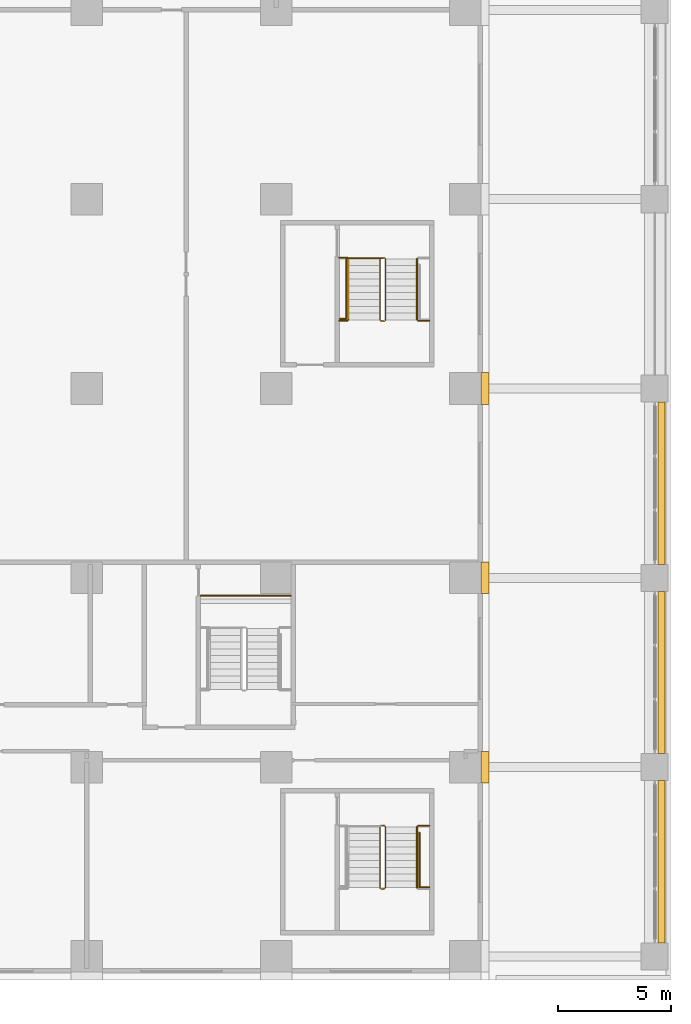
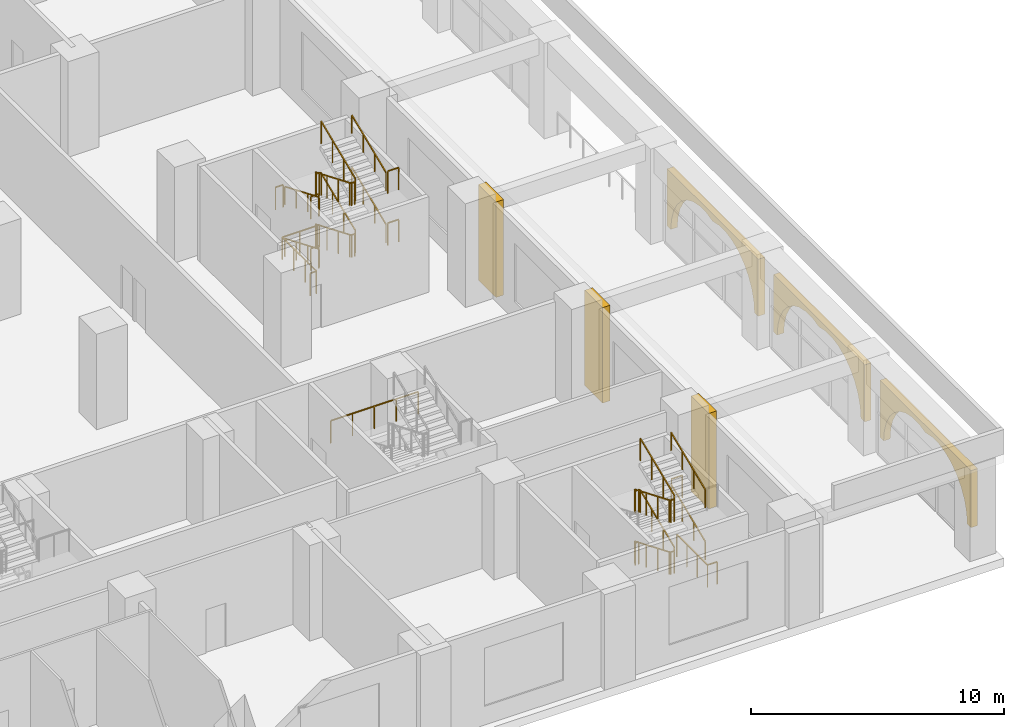
# One storey, part 27 of 29: 17 railings, 6 coverings.
"""IFC4 building model written with IfcOpenShell, lengths in metres."""

from ifc_helpers import new_model, si_unit, direction, frame, origin, origin_2d, place, context, subcontext, project, spatial, polyline, rectangle, outline, extrude, material, type_object, element, save


model = new_model("IFC4")

# Units and contexts
model_context = context("Model", 3, precision=1e-05, world=origin(), true_north=direction((0.0, 1.0)))
body_context = subcontext(model_context, "Body", "Model", "MODEL_VIEW")
ifc_project = project(units=[si_unit("LENGTHUNIT", "METRE"), si_unit("AREAUNIT", "SQUARE_METRE"), si_unit("VOLUMEUNIT", "CUBIC_METRE"), si_unit("PLANEANGLEUNIT", "RADIAN"), si_unit("MASSUNIT", "GRAM", prefix="KILO")], contexts=[model_context])

# Site, building, storey
site_placement = place(None, origin())
site = spatial("IfcSite", under=ifc_project, at=site_placement, CompositionType="ELEMENT")
building_placement = place(site_placement, origin())
building = spatial("IfcBuilding", under=site, at=building_placement, Name="Vermilion Ogive Tower", CompositionType="ELEMENT")
storey_placement = place(building_placement, frame((0.0, 0.0, 7.5)))
storey = spatial("IfcBuildingStorey", under=building, at=storey_placement, Name="L01", CompositionType="ELEMENT", Elevation=7.5)

# Coverings
ifc_material_1 = material(Name="Stone cladding", Category="masonry")
covering_type_1 = type_object("IfcCoveringType", Name="Arcade ogive head", PredefinedType="CLADDING", material=ifc_material_1)
for number, where, z_axis, x_axis, name in (
    (1, (58.949951171875, -25.199951171875, 3.39990234375), (1.0, 0.0, 0.0), (0.0, 1.0, 0.0), "Arcade stone head L01 1"),
    (2, (58.949951171875, -16.800048828125, 3.39990234375), (1.0, 0.0, 0.0), (0.0, 1.0, 0.0), "Arcade stone head L01 2"),
    (3, (58.949951171875, -8.39990234375, 3.39990234375), (1.0, 0.0, 0.0), (0.0, 1.0, 0.0), "Arcade stone head L01 3"),
):
    element("IfcCovering", number, at=place(storey_placement, frame(where, z_axis=z_axis, x_axis=x_axis)), inside=storey, type_object=covering_type_1, Name=name, PredefinedType="CLADDING", context=body_context, shape_type="SweptSolid", body=[
        extrude(outline(polyline([(-3.300048828125, -2.75), (-3.244873046875, -2.225830078125), (-3.08203125, -1.724365234375), (-2.818603515625, -1.267822265625), (-2.466064453125, -0.8759765625), (-2.039794921875, -0.56591796875), (-1.558349609375, -0.351318359375), (-1.042724609375, -0.2412109375), (-0.515625, -0.240966796875), (0.0, -0.35009765625), (0.515625, -0.240966796875), (1.042724609375, -0.2412109375), (1.558349609375, -0.351318359375), (2.039794921875, -0.56591796875), (2.466064453125, -0.8759765625), (2.818603515625, -1.267822265625), (3.08203125, -1.724365234375), (3.244873046875, -2.225830078125), (3.300048828125, -2.75), (3.60009765625, -2.75), (3.60009765625, 0.0), (-3.60009765625, 0.0), (-3.60009765625, -2.75), (-3.300048828125, -2.75)])), origin(), (0.0, 0.0, 1.0), 0.300048828125),
    ])

# Railings
ifc_material_2 = material(Name="Steel S355 painted", Category="steel")
railing_type_1 = type_object("IfcRailingType", Name="Stair guard 1100", PredefinedType="GUARDRAIL", material=ifc_material_2)
railing_1_placement = place(storey_placement, frame((46.800048828125, 1.60009765625, 0.0)))
element("IfcRailing", 4, at=railing_1_placement, inside=storey, type_object=railing_type_1, Name="L01 PEC stair guard 8", PredefinedType="GUARDRAIL", context=body_context, shape_type="SweptSolid", body=[
    extrude(rectangle(XDim=0.048095703125, YDim=0.048095703125, at=origin_2d()), frame((0.0, 0.0, 1.076171875), z_axis=(-1.0, 0.0, 0.0), x_axis=(0.0, -1.0, 0.0)), (0.0, 0.0, 1.0), 0.150146484375),
    extrude(rectangle(XDim=0.048095703125, YDim=0.048095703125, at=origin_2d()), frame((-0.150146484375, 0.0, 1.076171875), z_axis=(-0.346918206498, -0.348618785942, 0.870696675133), x_axis=(0.708833529934, -0.705375805398, 0.0)), (0.0, 0.0, 1.0), 0.1435546875),
    extrude(rectangle(XDim=0.048095703125, YDim=0.048095703125, at=origin_2d()), frame((-0.199951171875, -0.050048828125, 1.201171875), z_axis=(0.0, -0.923074453586, 0.384621311341), x_axis=(1.0, 0.0, 0.0)), (0.0, 0.0, 1.0), 2.925048828125),
    extrude(rectangle(XDim=0.048095703125, YDim=0.048095703125, at=origin_2d()), frame((-0.199951171875, -2.75, 2.326171875), z_axis=(0.705375805398, -0.708833529934, 0.0), x_axis=(0.708833529934, 0.705375805398, 0.0)), (0.0, 0.0, 1.0), 0.070556640625),
    extrude(rectangle(XDim=0.048095703125, YDim=0.048095703125, at=origin_2d()), frame((-0.150146484375, -2.800048828125, 2.326171875), z_axis=(1.0, 0.0, 0.0), x_axis=(0.0, 1.0, 0.0)), (0.0, 0.0, 1.0), 0.150146484375),
    extrude(rectangle(XDim=0.048095703125, YDim=0.048095703125, at=origin_2d()), frame((0.0, -2.800048828125, 2.326171875), z_axis=(0.34841279274, 0.34841279274, 0.870182194549), x_axis=(-0.707106781187, 0.707106781187, 0.0)), (0.0, 0.0, 1.0), 0.1435546875),
    extrude(rectangle(XDim=0.048095703125, YDim=0.048095703125, at=origin_2d()), frame((0.050048828125, -2.75, 2.451171875), z_axis=(0.0, 0.923074453586, 0.384621311341), x_axis=(-1.0, 0.0, 0.0)), (0.0, 0.0, 1.0), 2.925048828125),
    extrude(rectangle(XDim=0.048095703125, YDim=0.048095703125, at=origin_2d()), frame((0.050048828125, -0.050048828125, 3.576171875), z_axis=(-0.707106781187, 0.707106781187, 0.0), x_axis=(-0.707106781187, -0.707106781187, 0.0)), (0.0, 0.0, 1.0), 0.07080078125),
    extrude(rectangle(XDim=0.048095703125, YDim=0.048095703125, at=origin_2d()), frame((0.0, 0.0, 3.576171875), z_axis=(-1.0, 0.0, 0.0), x_axis=(0.0, -1.0, 0.0)), (0.0, 0.0, 1.0), 0.150146484375),
    extrude(rectangle(XDim=0.048095703125, YDim=0.048095703125, at=origin_2d()), frame((-0.150146484375, 0.0, 3.576171875), z_axis=(-0.346918206498, -0.348618785942, 0.870696675133), x_axis=(0.708833529934, -0.705375805398, 0.0)), (0.0, 0.0, 1.0), 0.1435546875),
    extrude(rectangle(XDim=0.048095703125, YDim=0.048095703125, at=origin_2d()), frame((-0.199951171875, -0.050048828125, 3.701171875), z_axis=(0.0, -0.923074453586, 0.384621311341), x_axis=(1.0, 0.0, 0.0)), (0.0, 0.0, 1.0), 2.925048828125),
    extrude(rectangle(XDim=0.048095703125, YDim=0.048095703125, at=origin_2d()), frame((-0.199951171875, -2.75, 4.826171875), z_axis=(0.705375805398, -0.708833529934, 0.0), x_axis=(0.708833529934, 0.705375805398, 0.0)), (0.0, 0.0, 1.0), 0.070556640625),
    extrude(rectangle(XDim=0.048095703125, YDim=0.048095703125, at=origin_2d()), frame((-0.150146484375, -2.800048828125, 4.826171875), z_axis=(1.0, 0.0, 0.0), x_axis=(0.0, 1.0, 0.0)), (0.0, 0.0, 1.0), 0.150146484375),
    extrude(rectangle(XDim=0.048095703125, YDim=0.048095703125, at=origin_2d()), frame((0.0, -2.800048828125, 4.826171875), z_axis=(0.34841279274, 0.34841279274, 0.870182194549), x_axis=(-0.707106781187, 0.707106781187, 0.0)), (0.0, 0.0, 1.0), 0.1435546875),
    extrude(rectangle(XDim=0.048095703125, YDim=0.048095703125, at=origin_2d()), frame((0.050048828125, -2.75, 4.951171875), z_axis=(0.0, 0.923074453586, 0.384621311341), x_axis=(-1.0, 0.0, 0.0)), (0.0, 0.0, 1.0), 2.925048828125),
    extrude(rectangle(XDim=0.0419921875, YDim=0.0419921875, at=origin_2d()), origin(), (0.0, 0.0, 1.0), 1.052001953125),
    extrude(rectangle(XDim=0.0419921875, YDim=0.0419921875, at=origin_2d()), frame((-0.150146484375, 0.0, 0.0)), (0.0, 0.0, 1.0), 1.052001953125),
    extrude(rectangle(XDim=0.0419921875, YDim=0.0419921875, at=origin_2d()), frame((-0.199951171875, -0.050048828125, 0.125)), (0.0, 0.0, 1.0), 1.052001953125),
    extrude(rectangle(XDim=0.0419921875, YDim=0.0419921875, at=origin_2d()), frame((-0.199951171875, -0.949951171875, 0.5)), (0.0, 0.0, 1.0), 1.052001953125),
    extrude(rectangle(XDim=0.0419921875, YDim=0.0419921875, at=origin_2d()), frame((-0.199951171875, -1.85009765625, 0.875)), (0.0, 0.0, 1.0), 1.052001953125),
    extrude(rectangle(XDim=0.0419921875, YDim=0.0419921875, at=origin_2d()), frame((-0.199951171875, -2.75, 1.25)), (0.0, 0.0, 1.0), 1.052001953125),
    extrude(rectangle(XDim=0.0419921875, YDim=0.0419921875, at=origin_2d()), frame((-0.150146484375, -2.800048828125, 1.25)), (0.0, 0.0, 1.0), 1.052001953125),
    extrude(rectangle(XDim=0.0419921875, YDim=0.0419921875, at=origin_2d()), frame((0.0, -2.800048828125, 1.25)), (0.0, 0.0, 1.0), 1.052001953125),
    extrude(rectangle(XDim=0.0419921875, YDim=0.0419921875, at=origin_2d()), frame((0.050048828125, -2.75, 1.375)), (0.0, 0.0, 1.0), 1.052001953125),
    extrude(rectangle(XDim=0.0419921875, YDim=0.0419921875, at=origin_2d()), frame((0.050048828125, -1.85009765625, 1.75)), (0.0, 0.0, 1.0), 1.052001953125),
    extrude(rectangle(XDim=0.0419921875, YDim=0.0419921875, at=origin_2d()), frame((0.050048828125, -0.949951171875, 2.125)), (0.0, 0.0, 1.0), 1.052001953125),
    extrude(rectangle(XDim=0.0419921875, YDim=0.0419921875, at=origin_2d()), frame((0.050048828125, -0.050048828125, 2.5)), (0.0, 0.0, 1.0), 1.052001953125),
    extrude(rectangle(XDim=0.0419921875, YDim=0.0419921875, at=origin_2d()), frame((0.0, 0.0, 2.5)), (0.0, 0.0, 1.0), 1.052001953125),
    extrude(rectangle(XDim=0.0419921875, YDim=0.0419921875, at=origin_2d()), frame((-0.150146484375, 0.0, 2.5)), (0.0, 0.0, 1.0), 1.052001953125),
    extrude(rectangle(XDim=0.0419921875, YDim=0.0419921875, at=origin_2d()), frame((-0.199951171875, -0.050048828125, 2.625)), (0.0, 0.0, 1.0), 1.052001953125),
    extrude(rectangle(XDim=0.0419921875, YDim=0.0419921875, at=origin_2d()), frame((-0.199951171875, -0.949951171875, 3.0)), (0.0, 0.0, 1.0), 1.052001953125),
    extrude(rectangle(XDim=0.0419921875, YDim=0.0419921875, at=origin_2d()), frame((-0.199951171875, -1.85009765625, 3.375)), (0.0, 0.0, 1.0), 1.052001953125),
    extrude(rectangle(XDim=0.0419921875, YDim=0.0419921875, at=origin_2d()), frame((-0.199951171875, -2.75, 3.75)), (0.0, 0.0, 1.0), 1.052001953125),
    extrude(rectangle(XDim=0.0419921875, YDim=0.0419921875, at=origin_2d()), frame((-0.150146484375, -2.800048828125, 3.75)), (0.0, 0.0, 1.0), 1.052001953125),
    extrude(rectangle(XDim=0.0419921875, YDim=0.0419921875, at=origin_2d()), frame((0.0, -2.800048828125, 3.75)), (0.0, 0.0, 1.0), 1.052001953125),
    extrude(rectangle(XDim=0.0419921875, YDim=0.0419921875, at=origin_2d()), frame((0.050048828125, -2.75, 3.875)), (0.0, 0.0, 1.0), 1.052001953125),
    extrude(rectangle(XDim=0.0419921875, YDim=0.0419921875, at=origin_2d()), frame((0.050048828125, -1.85009765625, 4.25)), (0.0, 0.0, 1.0), 1.052001953125),
    extrude(rectangle(XDim=0.0419921875, YDim=0.0419921875, at=origin_2d()), frame((0.050048828125, -0.949951171875, 4.625)), (0.0, 0.0, 1.0), 1.052001953125),
    extrude(rectangle(XDim=0.0419921875, YDim=0.0419921875, at=origin_2d()), frame((0.050048828125, -0.050048828125, 5.0)), (0.0, 0.0, 1.0), 1.052001953125),
])
railing_2_placement = place(storey_placement, frame((46.800048828125, -23.60009765625, 0.0)))
element("IfcRailing", 5, at=railing_2_placement, inside=storey, type_object=railing_type_1, Name="L01 PES stair guard 8", PredefinedType="GUARDRAIL", context=body_context, shape_type="SweptSolid", body=[
    extrude(rectangle(XDim=0.048095703125, YDim=0.048095703125, at=origin_2d()), frame((0.0, 0.0, 1.076171875), z_axis=(-1.0, 0.0, 0.0), x_axis=(0.0, -1.0, 0.0)), (0.0, 0.0, 1.0), 0.150146484375),
    extrude(rectangle(XDim=0.048095703125, YDim=0.048095703125, at=origin_2d()), frame((-0.150146484375, 0.0, 1.076171875), z_axis=(-0.347123558874, -0.347123558874, 0.871212069332), x_axis=(0.707106781187, -0.707106781187, 0.0)), (0.0, 0.0, 1.0), 0.1435546875),
    extrude(rectangle(XDim=0.048095703125, YDim=0.048095703125, at=origin_2d()), frame((-0.199951171875, -0.0498046875, 1.201171875), z_axis=(0.0, -0.923086799901, 0.38459167938), x_axis=(1.0, 0.0, 0.0)), (0.0, 0.0, 1.0), 2.92529296875),
    extrude(rectangle(XDim=0.048095703125, YDim=0.048095703125, at=origin_2d()), frame((-0.199951171875, -2.75, 2.326171875), z_axis=(0.707106781187, -0.707106781187, 0.0), x_axis=(0.707106781187, 0.707106781187, 0.0)), (0.0, 0.0, 1.0), 0.0703125),
    extrude(rectangle(XDim=0.048095703125, YDim=0.048095703125, at=origin_2d()), frame((-0.150146484375, -2.7998046875, 2.326171875), z_axis=(1.0, 0.0, 0.0), x_axis=(0.0, 1.0, 0.0)), (0.0, 0.0, 1.0), 0.150146484375),
    extrude(rectangle(XDim=0.048095703125, YDim=0.048095703125, at=origin_2d()), frame((0.0, -2.7998046875, 2.326171875), z_axis=(0.348618785942, 0.346918206498, 0.870696675133), x_axis=(-0.705375805398, 0.708833529934, 0.0)), (0.0, 0.0, 1.0), 0.1435546875),
    extrude(rectangle(XDim=0.048095703125, YDim=0.048095703125, at=origin_2d()), frame((0.050048828125, -2.75, 2.451171875), z_axis=(0.0, 0.923086799901, 0.38459167938), x_axis=(-1.0, 0.0, 0.0)), (0.0, 0.0, 1.0), 2.92529296875),
    extrude(rectangle(XDim=0.048095703125, YDim=0.048095703125, at=origin_2d()), frame((0.050048828125, -0.0498046875, 3.576171875), z_axis=(-0.708833529934, 0.705375805398, 0.0), x_axis=(-0.705375805398, -0.708833529934, 0.0)), (0.0, 0.0, 1.0), 0.070556640625),
    extrude(rectangle(XDim=0.048095703125, YDim=0.048095703125, at=origin_2d()), frame((0.0, 0.0, 3.576171875), z_axis=(-1.0, 0.0, 0.0), x_axis=(0.0, -1.0, 0.0)), (0.0, 0.0, 1.0), 0.150146484375),
    extrude(rectangle(XDim=0.048095703125, YDim=0.048095703125, at=origin_2d()), frame((-0.150146484375, 0.0, 3.576171875), z_axis=(-0.347123558874, -0.347123558874, 0.871212069332), x_axis=(0.707106781187, -0.707106781187, 0.0)), (0.0, 0.0, 1.0), 0.1435546875),
    extrude(rectangle(XDim=0.048095703125, YDim=0.048095703125, at=origin_2d()), frame((-0.199951171875, -0.0498046875, 3.701171875), z_axis=(0.0, -0.923086799901, 0.38459167938), x_axis=(1.0, 0.0, 0.0)), (0.0, 0.0, 1.0), 2.92529296875),
    extrude(rectangle(XDim=0.048095703125, YDim=0.048095703125, at=origin_2d()), frame((-0.199951171875, -2.75, 4.826171875), z_axis=(0.707106781187, -0.707106781187, 0.0), x_axis=(0.707106781187, 0.707106781187, 0.0)), (0.0, 0.0, 1.0), 0.0703125),
    extrude(rectangle(XDim=0.048095703125, YDim=0.048095703125, at=origin_2d()), frame((-0.150146484375, -2.7998046875, 4.826171875), z_axis=(1.0, 0.0, 0.0), x_axis=(0.0, 1.0, 0.0)), (0.0, 0.0, 1.0), 0.150146484375),
    extrude(rectangle(XDim=0.048095703125, YDim=0.048095703125, at=origin_2d()), frame((0.0, -2.7998046875, 4.826171875), z_axis=(0.348618785942, 0.346918206498, 0.870696675133), x_axis=(-0.705375805398, 0.708833529934, 0.0)), (0.0, 0.0, 1.0), 0.1435546875),
    extrude(rectangle(XDim=0.048095703125, YDim=0.048095703125, at=origin_2d()), frame((0.050048828125, -2.75, 4.951171875), z_axis=(0.0, 0.923086799901, 0.38459167938), x_axis=(-1.0, 0.0, 0.0)), (0.0, 0.0, 1.0), 2.92529296875),
    extrude(rectangle(XDim=0.0419921875, YDim=0.0419921875, at=origin_2d()), origin(), (0.0, 0.0, 1.0), 1.052001953125),
    extrude(rectangle(XDim=0.0419921875, YDim=0.0419921875, at=origin_2d()), frame((-0.150146484375, 0.0, 0.0)), (0.0, 0.0, 1.0), 1.052001953125),
    extrude(rectangle(XDim=0.0419921875, YDim=0.0419921875, at=origin_2d()), frame((-0.199951171875, -0.0498046875, 0.125)), (0.0, 0.0, 1.0), 1.052001953125),
    extrude(rectangle(XDim=0.0419921875, YDim=0.0419921875, at=origin_2d()), frame((-0.199951171875, -0.949951171875, 0.5)), (0.0, 0.0, 1.0), 1.052001953125),
    extrude(rectangle(XDim=0.0419921875, YDim=0.0419921875, at=origin_2d()), frame((-0.199951171875, -1.849853515625, 0.875)), (0.0, 0.0, 1.0), 1.052001953125),
    extrude(rectangle(XDim=0.0419921875, YDim=0.0419921875, at=origin_2d()), frame((-0.199951171875, -2.75, 1.25)), (0.0, 0.0, 1.0), 1.052001953125),
    extrude(rectangle(XDim=0.0419921875, YDim=0.0419921875, at=origin_2d()), frame((-0.150146484375, -2.7998046875, 1.25)), (0.0, 0.0, 1.0), 1.052001953125),
    extrude(rectangle(XDim=0.0419921875, YDim=0.0419921875, at=origin_2d()), frame((0.0, -2.7998046875, 1.25)), (0.0, 0.0, 1.0), 1.052001953125),
    extrude(rectangle(XDim=0.0419921875, YDim=0.0419921875, at=origin_2d()), frame((0.050048828125, -2.75, 1.375)), (0.0, 0.0, 1.0), 1.052001953125),
    extrude(rectangle(XDim=0.0419921875, YDim=0.0419921875, at=origin_2d()), frame((0.050048828125, -1.849853515625, 1.75)), (0.0, 0.0, 1.0), 1.052001953125),
    extrude(rectangle(XDim=0.0419921875, YDim=0.0419921875, at=origin_2d()), frame((0.050048828125, -0.949951171875, 2.125)), (0.0, 0.0, 1.0), 1.052001953125),
    extrude(rectangle(XDim=0.0419921875, YDim=0.0419921875, at=origin_2d()), frame((0.050048828125, -0.0498046875, 2.5)), (0.0, 0.0, 1.0), 1.052001953125),
    extrude(rectangle(XDim=0.0419921875, YDim=0.0419921875, at=origin_2d()), frame((0.0, 0.0, 2.5)), (0.0, 0.0, 1.0), 1.052001953125),
    extrude(rectangle(XDim=0.0419921875, YDim=0.0419921875, at=origin_2d()), frame((-0.150146484375, 0.0, 2.5)), (0.0, 0.0, 1.0), 1.052001953125),
    extrude(rectangle(XDim=0.0419921875, YDim=0.0419921875, at=origin_2d()), frame((-0.199951171875, -0.0498046875, 2.625)), (0.0, 0.0, 1.0), 1.052001953125),
    extrude(rectangle(XDim=0.0419921875, YDim=0.0419921875, at=origin_2d()), frame((-0.199951171875, -0.949951171875, 3.0)), (0.0, 0.0, 1.0), 1.052001953125),
    extrude(rectangle(XDim=0.0419921875, YDim=0.0419921875, at=origin_2d()), frame((-0.199951171875, -1.849853515625, 3.375)), (0.0, 0.0, 1.0), 1.052001953125),
    extrude(rectangle(XDim=0.0419921875, YDim=0.0419921875, at=origin_2d()), frame((-0.199951171875, -2.75, 3.75)), (0.0, 0.0, 1.0), 1.052001953125),
    extrude(rectangle(XDim=0.0419921875, YDim=0.0419921875, at=origin_2d()), frame((-0.150146484375, -2.7998046875, 3.75)), (0.0, 0.0, 1.0), 1.052001953125),
    extrude(rectangle(XDim=0.0419921875, YDim=0.0419921875, at=origin_2d()), frame((0.0, -2.7998046875, 3.75)), (0.0, 0.0, 1.0), 1.052001953125),
    extrude(rectangle(XDim=0.0419921875, YDim=0.0419921875, at=origin_2d()), frame((0.050048828125, -2.75, 3.875)), (0.0, 0.0, 1.0), 1.052001953125),
    extrude(rectangle(XDim=0.0419921875, YDim=0.0419921875, at=origin_2d()), frame((0.050048828125, -1.849853515625, 4.25)), (0.0, 0.0, 1.0), 1.052001953125),
    extrude(rectangle(XDim=0.0419921875, YDim=0.0419921875, at=origin_2d()), frame((0.050048828125, -0.949951171875, 4.625)), (0.0, 0.0, 1.0), 1.052001953125),
    extrude(rectangle(XDim=0.0419921875, YDim=0.0419921875, at=origin_2d()), frame((0.050048828125, -0.0498046875, 5.0)), (0.0, 0.0, 1.0), 1.052001953125),
])
railing_3_placement = place(storey_placement, frame((38.650146484375, -13.39990234375, 2.5)))
element("IfcRailing", 6, at=railing_3_placement, inside=storey, type_object=railing_type_1, Name="L01 landing guard", PredefinedType="GUARDRAIL", context=body_context, shape_type="SweptSolid", body=[
    extrude(rectangle(XDim=0.048095703125, YDim=0.048095703125, at=origin_2d()), frame((0.0, 0.0, 1.076171875), z_axis=(1.0, 0.0, 0.0), x_axis=(0.0, 1.0, 0.0)), (0.0, 0.0, 1.0), 3.999755859375),
    extrude(rectangle(XDim=0.0419921875, YDim=0.0419921875, at=origin_2d()), origin(), (0.0, 0.0, 1.0), 1.052001953125),
    extrude(rectangle(XDim=0.0419921875, YDim=0.0419921875, at=origin_2d()), frame((1.0, 0.0, 0.0)), (0.0, 0.0, 1.0), 1.052001953125),
    extrude(rectangle(XDim=0.0419921875, YDim=0.0419921875, at=origin_2d()), frame((2.0, 0.0, 0.0)), (0.0, 0.0, 1.0), 1.052001953125),
    extrude(rectangle(XDim=0.0419921875, YDim=0.0419921875, at=origin_2d()), frame((2.999755859375, 0.0, 0.0)), (0.0, 0.0, 1.0), 1.052001953125),
    extrude(rectangle(XDim=0.0419921875, YDim=0.0419921875, at=origin_2d()), frame((3.999755859375, 0.0, 0.0)), (0.0, 0.0, 1.0), 1.052001953125),
])
railing_4_placement = place(storey_placement, frame((44.800048828125, -1.199951171875, 1.25)))
element("IfcRailing", 7, at=railing_4_placement, inside=storey, type_object=railing_type_1, Name="L01 landing guard", PredefinedType="GUARDRAIL", context=body_context, shape_type="SweptSolid", body=[
    extrude(rectangle(XDim=0.048095703125, YDim=0.048095703125, at=origin_2d()), frame((0.0, 0.0, 1.076171875), z_axis=(1.0, 0.0, 0.0), x_axis=(0.0, 1.0, 0.0)), (0.0, 0.0, 1.0), 0.349853515625),
    extrude(rectangle(XDim=0.0419921875, YDim=0.0419921875, at=origin_2d()), origin(), (0.0, 0.0, 1.0), 1.052001953125),
    extrude(rectangle(XDim=0.0419921875, YDim=0.0419921875, at=origin_2d()), frame((0.349853515625, 0.0, 0.0)), (0.0, 0.0, 1.0), 1.052001953125),
])
railing_5_placement = place(storey_placement, frame((48.300048828125, -1.199951171875, 1.25)))
element("IfcRailing", 8, at=railing_5_placement, inside=storey, type_object=railing_type_1, Name="L01 landing guard", PredefinedType="GUARDRAIL", context=body_context, shape_type="SweptSolid", body=[
    extrude(rectangle(XDim=0.048095703125, YDim=0.048095703125, at=origin_2d()), frame((0.0, 0.0, 1.076171875), z_axis=(1.0, 0.0, 0.0), x_axis=(0.0, 1.0, 0.0)), (0.0, 0.0, 1.0), 0.499755859375),
    extrude(rectangle(XDim=0.0419921875, YDim=0.0419921875, at=origin_2d()), origin(), (0.0, 0.0, 1.0), 1.052001953125),
    extrude(rectangle(XDim=0.0419921875, YDim=0.0419921875, at=origin_2d()), frame((0.499755859375, 0.0, 0.0)), (0.0, 0.0, 1.0), 1.052001953125),
])
for number, where, name in (
    (9, (44.800048828125, 1.60009765625, 2.5), "L01 landing guard"),
    (10, (44.800048828125, -1.199951171875, 3.75), "L01 landing guard"),
):
    element("IfcRailing", number, at=place(storey_placement, frame(where)), inside=storey, type_object=railing_type_1, Name=name, PredefinedType="GUARDRAIL", context=body_context, shape_type="SweptSolid", body=[
        extrude(rectangle(XDim=0.048095703125, YDim=0.048095703125, at=origin_2d()), frame((0.0, 0.0, 1.076171875), z_axis=(1.0, 0.0, 0.0), x_axis=(0.0, 1.0, 0.0)), (0.0, 0.0, 1.0), 0.349853515625),
        extrude(rectangle(XDim=0.0419921875, YDim=0.0419921875, at=origin_2d()), origin(), (0.0, 0.0, 1.0), 1.052001953125),
        extrude(rectangle(XDim=0.0419921875, YDim=0.0419921875, at=origin_2d()), frame((0.349853515625, 0.0, 0.0)), (0.0, 0.0, 1.0), 1.052001953125),
    ])
for number, where, name in (
    (11, (48.300048828125, -1.199951171875, 3.75), "L01 landing guard"),
    (12, (48.300048828125, -23.60009765625, 2.5), "L01 landing guard"),
):
    element("IfcRailing", number, at=place(storey_placement, frame(where)), inside=storey, type_object=railing_type_1, Name=name, PredefinedType="GUARDRAIL", context=body_context, shape_type="SweptSolid", body=[
        extrude(rectangle(XDim=0.048095703125, YDim=0.048095703125, at=origin_2d()), frame((0.0, 0.0, 1.076171875), z_axis=(1.0, 0.0, 0.0), x_axis=(0.0, 1.0, 0.0)), (0.0, 0.0, 1.0), 0.499755859375),
        extrude(rectangle(XDim=0.0419921875, YDim=0.0419921875, at=origin_2d()), origin(), (0.0, 0.0, 1.0), 1.052001953125),
        extrude(rectangle(XDim=0.0419921875, YDim=0.0419921875, at=origin_2d()), frame((0.499755859375, 0.0, 0.0)), (0.0, 0.0, 1.0), 1.052001953125),
    ])
railing_6_placement = place(storey_placement, frame((44.810791015625, -1.115478515625, 0.0)))
element("IfcRailing", 13, at=railing_6_placement, inside=storey, type_object=railing_type_1, Name="L01 stair opening guard", PredefinedType="GUARDRAIL", context=body_context, shape_type="SweptSolid", body=[
    extrude(rectangle(XDim=0.048095703125, YDim=0.048095703125, at=origin_2d()), frame((0.0, 0.0, 1.076171875), z_axis=(1.0, 0.0, 0.0), x_axis=(0.0, 1.0, 0.0)), (0.0, 0.0, 1.0), 0.289794921875),
    extrude(rectangle(XDim=0.048095703125, YDim=0.048095703125, at=origin_2d()), frame((0.289794921875, 0.0, 1.076171875), z_axis=(0.0, 1.0, 0.0), x_axis=(-1.0, 0.0, 0.0)), (0.0, 0.0, 1.0), 2.699951171875),
    extrude(rectangle(XDim=0.048095703125, YDim=0.048095703125, at=origin_2d()), frame((0.289794921875, 2.699951171875, 1.076171875), z_axis=(1.0, 0.0, 0.0), x_axis=(0.0, 1.0, 0.0)), (0.0, 0.0, 1.0), 1.60009765625),
    extrude(rectangle(XDim=0.0419921875, YDim=0.0419921875, at=origin_2d()), origin(), (0.0, 0.0, 1.0), 1.052001953125),
    extrude(rectangle(XDim=0.0419921875, YDim=0.0419921875, at=origin_2d()), frame((0.289794921875, 0.0, 0.0)), (0.0, 0.0, 1.0), 1.052001953125),
    extrude(rectangle(XDim=0.0419921875, YDim=0.0419921875, at=origin_2d()), frame((0.289794921875, 0.89990234375, 0.0)), (0.0, 0.0, 1.0), 1.052001953125),
    extrude(rectangle(XDim=0.0419921875, YDim=0.0419921875, at=origin_2d()), frame((0.289794921875, 1.800048828125, 0.0)), (0.0, 0.0, 1.0), 1.052001953125),
    extrude(rectangle(XDim=0.0419921875, YDim=0.0419921875, at=origin_2d()), frame((0.289794921875, 2.699951171875, 0.0)), (0.0, 0.0, 1.0), 1.052001953125),
    extrude(rectangle(XDim=0.0419921875, YDim=0.0419921875, at=origin_2d()), frame((1.08984375, 2.699951171875, 0.0)), (0.0, 0.0, 1.0), 1.052001953125),
    extrude(rectangle(XDim=0.0419921875, YDim=0.0419921875, at=origin_2d()), frame((1.889892578125, 2.699951171875, 0.0)), (0.0, 0.0, 1.0), 1.052001953125),
])
railing_7_placement = place(storey_placement, frame((48.359130859375, -23.914794921875, 0.0)))
element("IfcRailing", 14, at=railing_7_placement, inside=storey, type_object=railing_type_1, Name="L01 stair opening guard", PredefinedType="GUARDRAIL", context=body_context, shape_type="SweptSolid", body=[
    extrude(rectangle(XDim=0.048095703125, YDim=0.048095703125, at=origin_2d()), frame((0.0, 0.0, 1.076171875), z_axis=(0.0, -1.0, 0.0), x_axis=(1.0, 0.0, 0.0)), (0.0, 0.0, 1.0), 2.424560546875),
    extrude(rectangle(XDim=0.048095703125, YDim=0.048095703125, at=origin_2d()), frame((0.0, -2.424560546875, 1.076171875), z_axis=(1.0, 0.0, 0.0), x_axis=(0.0, 1.0, 0.0)), (0.0, 0.0, 1.0), 0.439697265625),
    extrude(rectangle(XDim=0.0419921875, YDim=0.0419921875, at=origin_2d()), origin(), (0.0, 0.0, 1.0), 1.052001953125),
    extrude(rectangle(XDim=0.0419921875, YDim=0.0419921875, at=origin_2d()), frame((0.0, -0.80810546875, 0.0)), (0.0, 0.0, 1.0), 1.052001953125),
    extrude(rectangle(XDim=0.0419921875, YDim=0.0419921875, at=origin_2d()), frame((0.0, -1.616455078125, 0.0)), (0.0, 0.0, 1.0), 1.052001953125),
    extrude(rectangle(XDim=0.0419921875, YDim=0.0419921875, at=origin_2d()), frame((0.0, -2.424560546875, 0.0)), (0.0, 0.0, 1.0), 1.052001953125),
    extrude(rectangle(XDim=0.0419921875, YDim=0.0419921875, at=origin_2d()), frame((0.439697265625, -2.424560546875, 0.0)), (0.0, 0.0, 1.0), 1.052001953125),
])
ifc_material_3 = material(Name="Stainless steel", Category="steel")
railing_type_2 = type_object("IfcRailingType", Name="Stair handrail 900", PredefinedType="HANDRAIL", material=ifc_material_3)
railing_8_placement = place(storey_placement, frame((45.199951171875, 1.550048828125, 0.125)))
element("IfcRailing", 15, at=railing_8_placement, inside=storey, type_object=railing_type_2, Name="L01 PEC stair handrail 1", PredefinedType="HANDRAIL", context=body_context, shape_type="SweptSolid", body=[
    extrude(rectangle(XDim=0.048095703125, YDim=0.048095703125, at=origin_2d()), frame((0.0, 0.0, 0.8759765625), z_axis=(0.0, -0.923074453586, 0.384621311341), x_axis=(1.0, 0.0, 0.0)), (0.0, 0.0, 1.0), 2.925048828125),
    extrude(rectangle(XDim=0.0419921875, YDim=0.0419921875, at=origin_2d()), origin(), (0.0, 0.0, 1.0), 0.851806640625),
    extrude(rectangle(XDim=0.0419921875, YDim=0.0419921875, at=origin_2d()), frame((0.0, -0.89990234375, 0.375)), (0.0, 0.0, 1.0), 0.851806640625),
    extrude(rectangle(XDim=0.0419921875, YDim=0.0419921875, at=origin_2d()), frame((0.0, -1.800048828125, 0.75)), (0.0, 0.0, 1.0), 0.851806640625),
    extrude(rectangle(XDim=0.0419921875, YDim=0.0419921875, at=origin_2d()), frame((0.0, -2.699951171875, 1.125)), (0.0, 0.0, 1.0), 0.851806640625),
])
railing_9_placement = place(storey_placement, frame((48.25, -1.14990234375, 1.375)))
element("IfcRailing", 16, at=railing_9_placement, inside=storey, type_object=railing_type_2, Name="L01 PEC stair handrail 2", PredefinedType="HANDRAIL", context=body_context, shape_type="SweptSolid", body=[
    extrude(rectangle(XDim=0.048095703125, YDim=0.048095703125, at=origin_2d()), frame((0.0, 0.0, 0.8759765625), z_axis=(0.0, 0.923074453586, 0.384621311341), x_axis=(-1.0, 0.0, 0.0)), (0.0, 0.0, 1.0), 2.925048828125),
    extrude(rectangle(XDim=0.0419921875, YDim=0.0419921875, at=origin_2d()), origin(), (0.0, 0.0, 1.0), 0.851806640625),
    extrude(rectangle(XDim=0.0419921875, YDim=0.0419921875, at=origin_2d()), frame((0.0, 0.89990234375, 0.375)), (0.0, 0.0, 1.0), 0.851806640625),
    extrude(rectangle(XDim=0.0419921875, YDim=0.0419921875, at=origin_2d()), frame((0.0, 1.800048828125, 0.75)), (0.0, 0.0, 1.0), 0.851806640625),
    extrude(rectangle(XDim=0.0419921875, YDim=0.0419921875, at=origin_2d()), frame((0.0, 2.699951171875, 1.125)), (0.0, 0.0, 1.0), 0.851806640625),
])
railing_10_placement = place(storey_placement, frame((45.199951171875, 1.550048828125, 2.625)))
element("IfcRailing", 17, at=railing_10_placement, inside=storey, type_object=railing_type_2, Name="L01 PEC stair handrail 3", PredefinedType="HANDRAIL", context=body_context, shape_type="SweptSolid", body=[
    extrude(rectangle(XDim=0.048095703125, YDim=0.048095703125, at=origin_2d()), frame((0.0, 0.0, 0.8759765625), z_axis=(0.0, -0.923074453586, 0.384621311341), x_axis=(1.0, 0.0, 0.0)), (0.0, 0.0, 1.0), 2.925048828125),
    extrude(rectangle(XDim=0.0419921875, YDim=0.0419921875, at=origin_2d()), origin(), (0.0, 0.0, 1.0), 0.851806640625),
    extrude(rectangle(XDim=0.0419921875, YDim=0.0419921875, at=origin_2d()), frame((0.0, -0.89990234375, 0.375)), (0.0, 0.0, 1.0), 0.851806640625),
    extrude(rectangle(XDim=0.0419921875, YDim=0.0419921875, at=origin_2d()), frame((0.0, -1.800048828125, 0.75)), (0.0, 0.0, 1.0), 0.851806640625),
    extrude(rectangle(XDim=0.0419921875, YDim=0.0419921875, at=origin_2d()), frame((0.0, -2.699951171875, 1.125)), (0.0, 0.0, 1.0), 0.851806640625),
])
railing_11_placement = place(storey_placement, frame((48.25, -1.14990234375, 3.875)))
element("IfcRailing", 18, at=railing_11_placement, inside=storey, type_object=railing_type_2, Name="L01 PEC stair handrail 4", PredefinedType="HANDRAIL", context=body_context, shape_type="SweptSolid", body=[
    extrude(rectangle(XDim=0.048095703125, YDim=0.048095703125, at=origin_2d()), frame((0.0, 0.0, 0.8759765625), z_axis=(0.0, 0.923074453586, 0.384621311341), x_axis=(-1.0, 0.0, 0.0)), (0.0, 0.0, 1.0), 2.925048828125),
    extrude(rectangle(XDim=0.0419921875, YDim=0.0419921875, at=origin_2d()), origin(), (0.0, 0.0, 1.0), 0.851806640625),
    extrude(rectangle(XDim=0.0419921875, YDim=0.0419921875, at=origin_2d()), frame((0.0, 0.89990234375, 0.375)), (0.0, 0.0, 1.0), 0.851806640625),
    extrude(rectangle(XDim=0.0419921875, YDim=0.0419921875, at=origin_2d()), frame((0.0, 1.800048828125, 0.75)), (0.0, 0.0, 1.0), 0.851806640625),
    extrude(rectangle(XDim=0.0419921875, YDim=0.0419921875, at=origin_2d()), frame((0.0, 2.699951171875, 1.125)), (0.0, 0.0, 1.0), 0.851806640625),
])
for number, where, name in (
    (19, (48.25, -26.35009765625, 1.375), "L01 PES stair handrail 2"),
    (20, (48.25, -26.35009765625, 3.875), "L01 PES stair handrail 4"),
):
    element("IfcRailing", number, at=place(storey_placement, frame(where)), inside=storey, type_object=railing_type_2, Name=name, PredefinedType="HANDRAIL", context=body_context, shape_type="SweptSolid", body=[
        extrude(rectangle(XDim=0.048095703125, YDim=0.048095703125, at=origin_2d()), frame((0.0, 0.0, 0.8759765625), z_axis=(0.0, 0.923086799901, 0.38459167938), x_axis=(-1.0, 0.0, 0.0)), (0.0, 0.0, 1.0), 2.92529296875),
        extrude(rectangle(XDim=0.0419921875, YDim=0.0419921875, at=origin_2d()), origin(), (0.0, 0.0, 1.0), 0.851806640625),
        extrude(rectangle(XDim=0.0419921875, YDim=0.0419921875, at=origin_2d()), frame((0.0, 0.900146484375, 0.375)), (0.0, 0.0, 1.0), 0.851806640625),
        extrude(rectangle(XDim=0.0419921875, YDim=0.0419921875, at=origin_2d()), frame((0.0, 1.800048828125, 0.75)), (0.0, 0.0, 1.0), 0.851806640625),
        extrude(rectangle(XDim=0.0419921875, YDim=0.0419921875, at=origin_2d()), frame((0.0, 2.7001953125, 1.125)), (0.0, 0.0, 1.0), 0.851806640625),
    ])

# Coverings
ifc_material_4 = material(Name="Stone cladding", Category="masonry")
covering_type_2 = type_object("IfcCoveringType", Name="Stone pier", PredefinedType="CLADDING", material=ifc_material_4)
covering_1_placement = place(storey_placement, origin())
element("IfcCovering", 21, at=covering_1_placement, inside=storey, type_object=covering_type_2, Name="Stone pier P+504-042", PredefinedType="CLADDING", context=body_context, shape_type="SweptSolid", body=[
    extrude(outline(polyline([(51.449951171875, -3.5), (51.449951171875, -4.89990234375), (51.10009765625, -4.89990234375), (51.10009765625, -3.5), (51.449951171875, -3.5)])), origin(), (0.0, 0.0, 1.0), 4.60009765625),
])
covering_2_placement = place(storey_placement, origin())
element("IfcCovering", 22, at=covering_2_placement, inside=storey, type_object=covering_type_2, Name="Stone pier P+504-126", PredefinedType="CLADDING", context=body_context, shape_type="SweptSolid", body=[
    extrude(outline(polyline([(51.10009765625, -11.89990234375), (51.449951171875, -11.89990234375), (51.449951171875, -13.300048828125), (51.10009765625, -13.300048828125), (51.10009765625, -13.300048828125), (51.10009765625, -11.89990234375)])), origin(), (0.0, 0.0, 1.0), 4.60009765625),
])
covering_3_placement = place(storey_placement, origin())
element("IfcCovering", 23, at=covering_3_placement, inside=storey, type_object=covering_type_2, Name="Stone pier P+504-210", PredefinedType="CLADDING", context=body_context, shape_type="SweptSolid", body=[
    extrude(outline(polyline([(51.449951171875, -20.300048828125), (51.449951171875, -21.699951171875), (51.10009765625, -21.699951171875), (51.10009765625, -20.300048828125), (51.449951171875, -20.300048828125)])), origin(), (0.0, 0.0, 1.0), 4.60009765625),
])

save(model, "model.ifc")
